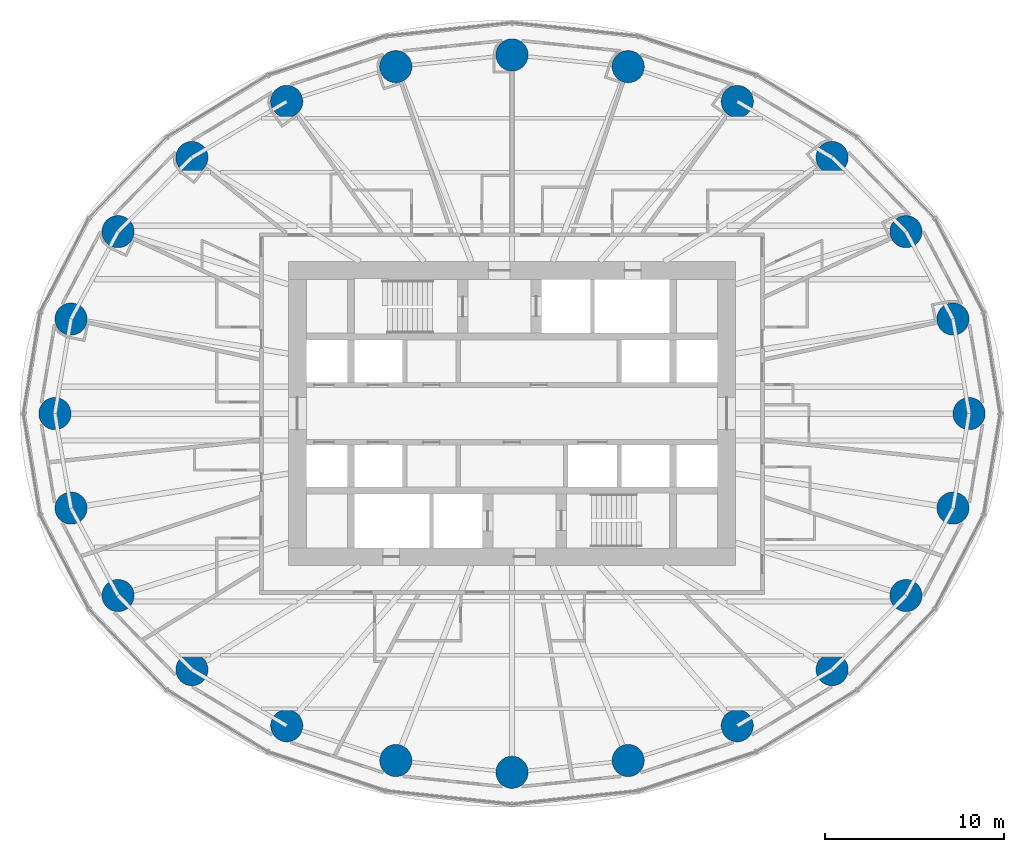
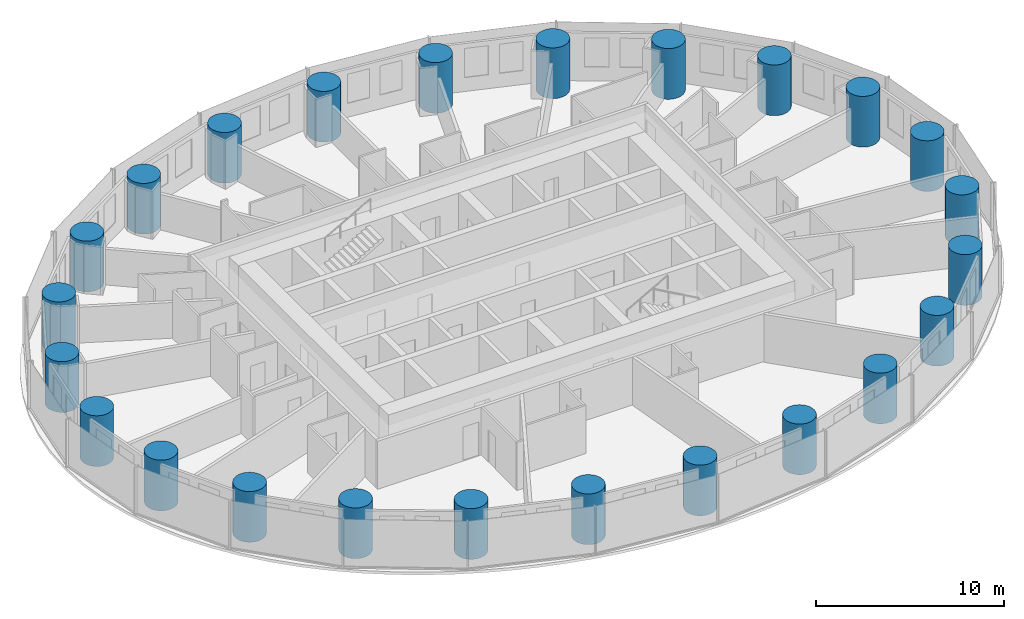
# One storey, part 1 of 13: 24 columns.
"""IFC4 building model written with IfcOpenShell, lengths in metres."""

from ifc_helpers import new_model, si_unit, direction, frame, origin, origin_2d, place, context, subcontext, project, spatial, circle, extrude, material, material_profile, profile_set, type_object, element, save


model = new_model("IFC4")

# Units and contexts
model_context = context("Model", 3, precision=1e-05, world=origin(), true_north=direction((0.0, 1.0)))
body_context = subcontext(model_context, "Body", "Model", "MODEL_VIEW")
ifc_project = project(units=[si_unit("LENGTHUNIT", "METRE"), si_unit("AREAUNIT", "SQUARE_METRE"), si_unit("VOLUMEUNIT", "CUBIC_METRE"), si_unit("PLANEANGLEUNIT", "RADIAN"), si_unit("MASSUNIT", "GRAM", prefix="KILO")], contexts=[model_context])

# Site, building, storey
site_placement = place(None, origin())
site = spatial("IfcSite", under=ifc_project, at=site_placement, CompositionType="ELEMENT")
building_placement = place(site_placement, origin())
building = spatial("IfcBuilding", under=site, at=building_placement, Name="Hankou Lantern Tower", CompositionType="ELEMENT")
storey_placement = place(building_placement, frame((0.0, 0.0, 39.300048828125)))
storey = spatial("IfcBuildingStorey", under=building, at=storey_placement, Name="L08", CompositionType="ELEMENT", Elevation=39.300048828125)

# Columns
ifc_material = material(Name="Concrete C60", Category="concrete")
ifc_material_profile = material_profile(ifc_material, circle(Radius=0.89990234375, at=origin_2d()), Name="RC D1800")
ifc_profile_set = profile_set([ifc_material_profile], Name="Concrete C60")
column_type = type_object("IfcColumnType", Name="TC1 PERIMETER COLUMN RC D1800", PredefinedType="COLUMN", material=ifc_profile_set)
for number, where, z_axis, x_axis, name in (
    (1, (25.550048828125, 0.0, 0.0), (0.0, 0.0, 1.0), (1.0, 0.0, 0.0), "Column R01 L08"),
    (2, (24.64697265625, 5.283203125, 0.0), (0.0, 0.0, 1.0), (1.0, 0.0, 0.0), "Column R02 L08"),
    (3, (22.01904296875, 10.170166015625, 0.0), (0.0, 0.0, 1.0), (1.0, 0.0, 0.0), "Column R03 L08"),
    (4, (17.891845703125, 14.3134765625, 0.0), (0.0, 0.0, 1.0), (1.0, 0.0, 0.0), "Column R04 L08"),
    (5, (12.5908203125, 17.446533203125, 0.0), (0.0, 0.0, 1.0), (1.0, 0.0, 0.0), "Column R05 L08"),
    (6, (6.494873046875, 19.391357421875, 0.0), (0.0, 0.0, 1.0), (1.0, 0.0, 0.0), "Column R06 L08"),
    (7, (0.0, 20.050048828125, 0.0), (0.0, 0.0, 1.0), (1.0, 0.0, 0.0), "Column R07 L08"),
    (8, (-6.494873046875, 19.391357421875, 0.0), (0.0, 0.0, 1.0), (1.0, 0.0, 0.0), "Column R08 L08"),
    (9, (-12.5908203125, 17.446533203125, 0.0), (0.0, 0.0, 1.0), (1.0, 0.0, 0.0), "Column R09 L08"),
    (10, (-17.891845703125, 14.3134765625, 0.0), (0.0, 0.0, 1.0), (1.0, 0.0, 0.0), "Column R10 L08"),
    (11, (-22.01904296875, 10.170166015625, 0.0), (0.0, 0.0, 1.0), (1.0, 0.0, 0.0), "Column R11 L08"),
    (12, (-24.64697265625, 5.283203125, 0.0), (0.0, 0.0, 1.0), (1.0, 0.0, 0.0), "Column R12 L08"),
    (13, (-25.550048828125, 0.0, 0.0), (0.0, 0.0, 1.0), (1.0, 0.0, 0.0), "Column R13 L08"),
    (14, (-24.64697265625, -5.283203125, 0.0), (0.0, 0.0, 1.0), (1.0, 0.0, 0.0), "Column R14 L08"),
    (15, (-22.01904296875, -10.170166015625, 0.0), (0.0, 0.0, 1.0), (1.0, 0.0, 0.0), "Column R15 L08"),
    (16, (-17.891845703125, -14.3134765625, 0.0), (0.0, 0.0, 1.0), (1.0, 0.0, 0.0), "Column R16 L08"),
    (17, (-12.5908203125, -17.446533203125, 0.0), (0.0, 0.0, 1.0), (1.0, 0.0, 0.0), "Column R17 L08"),
    (18, (-6.494873046875, -19.391357421875, 0.0), (0.0, 0.0, 1.0), (1.0, 0.0, 0.0), "Column R18 L08"),
    (19, (0.0, -20.050048828125, 0.0), (0.0, 0.0, 1.0), (1.0, 0.0, 0.0), "Column R19 L08"),
    (20, (6.494873046875, -19.391357421875, 0.0), (0.0, 0.0, 1.0), (1.0, 0.0, 0.0), "Column R20 L08"),
    (21, (12.5908203125, -17.446533203125, 0.0), (0.0, 0.0, 1.0), (1.0, 0.0, 0.0), "Column R21 L08"),
    (22, (17.891845703125, -14.3134765625, 0.0), (0.0, 0.0, 1.0), (1.0, 0.0, 0.0), "Column R22 L08"),
    (23, (22.01904296875, -10.170166015625, 0.0), (0.0, 0.0, 1.0), (1.0, 0.0, 0.0), "Column R23 L08"),
    (24, (24.64697265625, -5.283203125, 0.0), (0.0, 0.0, 1.0), (1.0, 0.0, 0.0), "Column R24 L08"),
):
    element("IfcColumn", number, at=place(storey_placement, frame(where, z_axis=z_axis, x_axis=x_axis)), inside=storey, type_object=column_type, Name=name, PredefinedType="COLUMN", context=body_context, shape_type="SweptSolid", body=[
        extrude(circle(Radius=0.89990234375, at=origin_2d()), origin(), (0.0, 0.0, 1.0), 3.300048828125),
    ])

save(model, "model.ifc")
